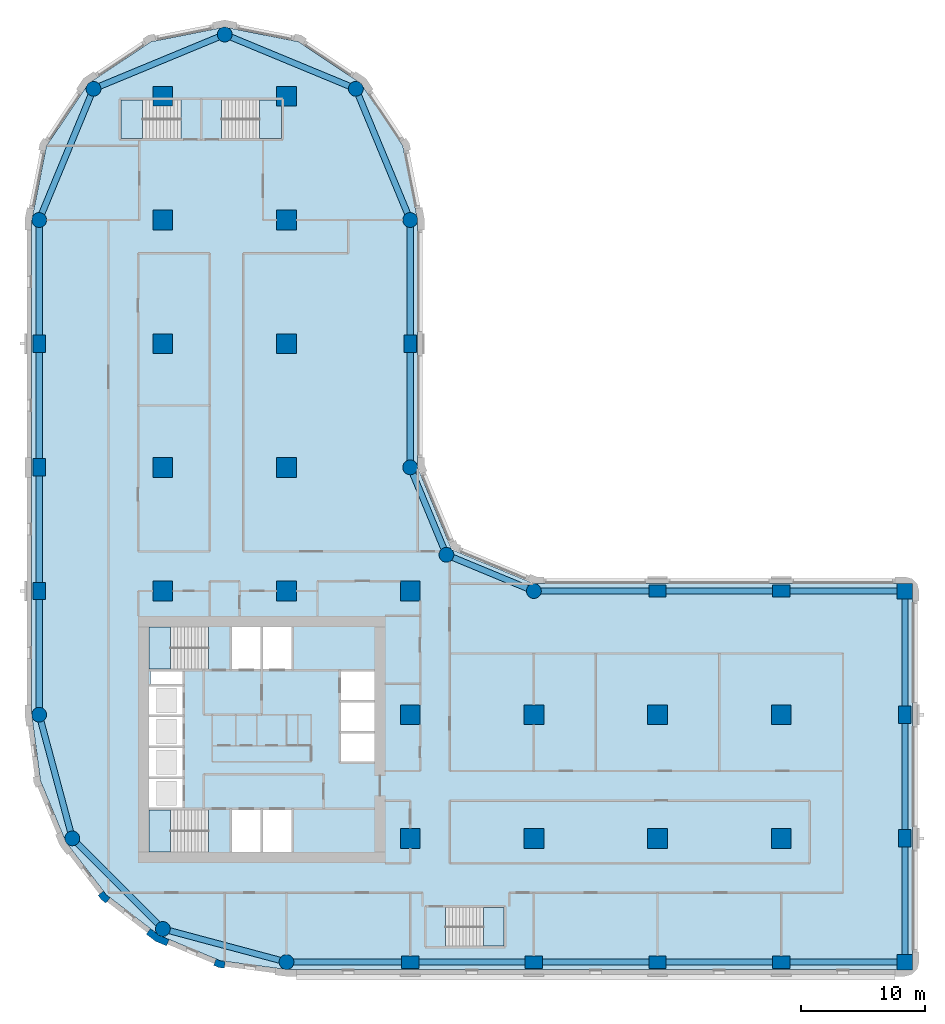
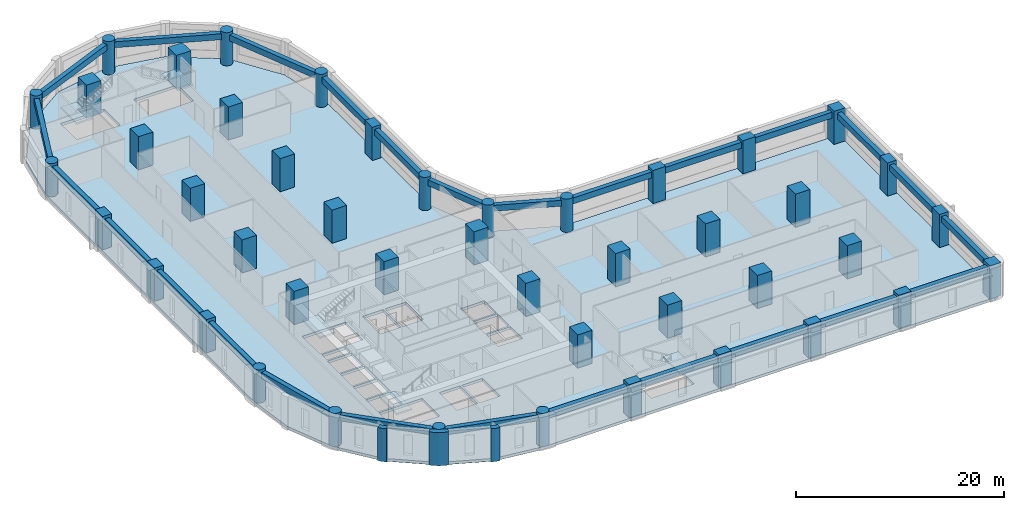
# One storey, part 1 of 11: 45 columns, 26 beams, 6 slabs, 3 walls, 5 elements without a shape of their own.
"""IFC4 building model written with IfcOpenShell, lengths in metres."""

from ifc_helpers import new_model, si_unit, direction, frame, origin, origin_2d, place, context, subcontext, project, spatial, polyline, rectangle, circle, outline, extrude, material, layer, layer_set, material_profile, profile_set, type_object, element, aggregate, save


model = new_model("IFC4")

# Units and contexts
model_context = context("Model", 3, precision=1e-05, world=origin(), true_north=direction((0.0, 1.0)))
body_context = subcontext(model_context, "Body", "Model", "MODEL_VIEW")
ifc_project = project(units=[si_unit("LENGTHUNIT", "METRE"), si_unit("AREAUNIT", "SQUARE_METRE"), si_unit("VOLUMEUNIT", "CUBIC_METRE"), si_unit("PLANEANGLEUNIT", "RADIAN"), si_unit("MASSUNIT", "GRAM", prefix="KILO")], contexts=[model_context])

# Site, building, storey
site_placement = place(None, origin())
site = spatial("IfcSite", under=ifc_project, at=site_placement, CompositionType="ELEMENT")
building_placement = place(site_placement, origin())
building = spatial("IfcBuilding", under=site, at=building_placement, Name="Qaws Garden Tower", CompositionType="ELEMENT")
storey_placement = place(building_placement, frame((0.0, 0.0, 86.10009765625)))
storey = spatial("IfcBuildingStorey", under=building, at=storey_placement, Name="L21", CompositionType="ELEMENT", Elevation=86.10009765625)

# Columns
ifc_material_1 = material(Name="Concrete C80", Category="concrete")
ifc_material_profile_1 = material_profile(ifc_material_1, rectangle(XDim=1.25, YDim=1.25, at=origin_2d()), Name="RC 1250x1250")
ifc_profile_set_1 = profile_set([ifc_material_profile_1], Name="Concrete C80")
column_type_1 = type_object("IfcColumnType", Name="Column RC 1250x1250 C80", PredefinedType="COLUMN", material=ifc_profile_set_1)
for number, where, z_axis, x_axis, name in (
    (1, (70.0, 0.0, 0.0), (0.0, 0.0, 1.0), (1.0, 0.0, 0.0), "Column L21-006"),
    (2, (70.0, 30.0, 0.0), (0.0, 0.0, 1.0), (1.0, 0.0, 0.0), "Column L21-009"),
):
    element("IfcColumn", number, at=place(storey_placement, frame(where, z_axis=z_axis, x_axis=x_axis)), inside=storey, type_object=column_type_1, Name=name, PredefinedType="COLUMN", context=body_context, shape_type="SweptSolid", body=[
        extrude(rectangle(XDim=1.25, YDim=1.25, at=origin_2d()), origin(), (0.0, 0.0, 1.0), 3.89990234375),
    ])
ifc_material_2 = material(Name="Concrete C80", Category="concrete")
ifc_material_profile_2 = material_profile(ifc_material_2, rectangle(XDim=1.39990234375, YDim=1.0, at=origin_2d()), Name="RC 1400x1000")
ifc_profile_set_2 = profile_set([ifc_material_profile_2], Name="Concrete C80")
column_type_2 = type_object("IfcColumnType", Name="Column RC 1400x1000 C80", PredefinedType="COLUMN", material=ifc_profile_set_2)
for number, where, z_axis, x_axis, name in (
    (3, (30.0, 0.0, 0.0), (0.0, 0.0, 1.0), (1.0, 0.0, 0.0), "Column L21-002"),
    (4, (40.0, 0.0, 0.0), (0.0, 0.0, 1.0), (1.0, 0.0, 0.0), "Column L21-003"),
    (5, (50.0, 0.0, 0.0), (0.0, 0.0, 1.0), (1.0, 0.0, 0.0), "Column L21-004"),
    (6, (60.0, 0.0, 0.0), (0.0, 0.0, 1.0), (1.0, 0.0, 0.0), "Column L21-005"),
    (7, (70.0, 10.0, 0.0), (0.0, 0.0, 1.0), (0.0, 1.0, 0.0), "Column L21-007"),
    (8, (70.0, 20.0, 0.0), (0.0, 0.0, 1.0), (0.0, 1.0, 0.0), "Column L21-008"),
    (9, (60.0, 30.0, 0.0), (0.0, 0.0, 1.0), (1.0, 0.0, 0.0), "Column L21-010"),
    (10, (50.0, 30.0, 0.0), (0.0, 0.0, 1.0), (1.0, 0.0, 0.0), "Column L21-011"),
    (11, (30.0, 50.0, 0.0), (0.0, 0.0, 1.0), (0.0, 1.0, 0.0), "Column L21-015"),
    (12, (0.0, 50.0, 0.0), (0.0, 0.0, 1.0), (0.0, 1.0, 0.0), "Column L21-021"),
    (13, (0.0, 40.0, 0.0), (0.0, 0.0, 1.0), (0.0, 1.0, 0.0), "Column L21-022"),
    (14, (0.0, 30.0, 0.0), (0.0, 0.0, 1.0), (0.0, 1.0, 0.0), "Column L21-023"),
):
    element("IfcColumn", number, at=place(storey_placement, frame(where, z_axis=z_axis, x_axis=x_axis)), inside=storey, type_object=column_type_2, Name=name, PredefinedType="COLUMN", context=body_context, shape_type="SweptSolid", body=[
        extrude(rectangle(XDim=1.39990234375, YDim=1.0, at=origin_2d()), origin(), (0.0, 0.0, 1.0), 3.89990234375),
    ])
ifc_material_3 = material(Name="Concrete C80", Category="concrete")
ifc_material_profile_3 = material_profile(ifc_material_3, rectangle(XDim=1.60009765625, YDim=1.60009765625, at=origin_2d()), Name="RC 1600x1600")
ifc_profile_set_3 = profile_set([ifc_material_profile_3], Name="Concrete C80")
column_type_3 = type_object("IfcColumnType", Name="Column RC 1600x1600 C80", PredefinedType="COLUMN", material=ifc_profile_set_3)
for number, where, z_axis, x_axis, name in (
    (15, (10.0, 30.0, 0.0), (0.0, 0.0, 1.0), (1.0, 0.0, 0.0), "Column L21-027"),
    (16, (10.0, 40.0, 0.0), (0.0, 0.0, 1.0), (1.0, 0.0, 0.0), "Column L21-028"),
    (17, (10.0, 50.0, 0.0), (0.0, 0.0, 1.0), (1.0, 0.0, 0.0), "Column L21-029"),
    (18, (10.0, 60.0, 0.0), (0.0, 0.0, 1.0), (1.0, 0.0, 0.0), "Column L21-030"),
    (19, (10.0, 70.0, 0.0), (0.0, 0.0, 1.0), (1.0, 0.0, 0.0), "Column L21-031"),
    (20, (20.0, 30.0, 0.0), (0.0, 0.0, 1.0), (1.0, 0.0, 0.0), "Column L21-032"),
    (21, (20.0, 40.0, 0.0), (0.0, 0.0, 1.0), (1.0, 0.0, 0.0), "Column L21-033"),
    (22, (20.0, 50.0, 0.0), (0.0, 0.0, 1.0), (1.0, 0.0, 0.0), "Column L21-034"),
    (23, (20.0, 60.0, 0.0), (0.0, 0.0, 1.0), (1.0, 0.0, 0.0), "Column L21-035"),
    (24, (20.0, 70.0, 0.0), (0.0, 0.0, 1.0), (1.0, 0.0, 0.0), "Column L21-036"),
    (25, (30.0, 10.0, 0.0), (0.0, 0.0, 1.0), (1.0, 0.0, 0.0), "Column L21-037"),
    (26, (30.0, 20.0, 0.0), (0.0, 0.0, 1.0), (1.0, 0.0, 0.0), "Column L21-038"),
    (27, (30.0, 30.0, 0.0), (0.0, 0.0, 1.0), (1.0, 0.0, 0.0), "Column L21-039"),
    (28, (40.0, 10.0, 0.0), (0.0, 0.0, 1.0), (1.0, 0.0, 0.0), "Column L21-040"),
    (29, (40.0, 20.0, 0.0), (0.0, 0.0, 1.0), (1.0, 0.0, 0.0), "Column L21-041"),
    (30, (50.0, 10.0, 0.0), (0.0, 0.0, 1.0), (1.0, 0.0, 0.0), "Column L21-042"),
    (31, (50.0, 20.0, 0.0), (0.0, 0.0, 1.0), (1.0, 0.0, 0.0), "Column L21-043"),
    (32, (60.0, 10.0, 0.0), (0.0, 0.0, 1.0), (1.0, 0.0, 0.0), "Column L21-044"),
    (33, (60.0, 20.0, 0.0), (0.0, 0.0, 1.0), (1.0, 0.0, 0.0), "Column L21-045"),
):
    element("IfcColumn", number, at=place(storey_placement, frame(where, z_axis=z_axis, x_axis=x_axis)), inside=storey, type_object=column_type_3, Name=name, PredefinedType="COLUMN", context=body_context, shape_type="SweptSolid", body=[
        extrude(rectangle(XDim=1.60009765625, YDim=1.60009765625, at=origin_2d()), origin(), (0.0, 0.0, 1.0), 3.89990234375),
    ])
ifc_material_4 = material(Name="Concrete C80", Category="concrete")
ifc_material_profile_4 = material_profile(ifc_material_4, circle(Radius=0.60009765625, at=origin_2d()), Name="RC D1200")
ifc_profile_set_4 = profile_set([ifc_material_profile_4], Name="Concrete C80")
column_type_4 = type_object("IfcColumnType", Name="Column RC D1200 C80", PredefinedType="COLUMN", material=ifc_profile_set_4)
for number, where, z_axis, x_axis, name in (
    (34, (20.0, 0.0, 0.0), (0.0, 0.0, 1.0), (1.0, 0.0, 0.0), "Column L21-001"),
    (35, (40.0, 30.0, 0.0), (0.0, 0.0, 1.0), (1.0, 0.0, 0.0), "Column L21-012"),
    (36, (32.928955078125, 32.928955078125, 0.0), (0.0, 0.0, 1.0), (1.0, 0.0, 0.0), "Column L21-013"),
    (37, (30.0, 40.0, 0.0), (0.0, 0.0, 1.0), (1.0, 0.0, 0.0), "Column L21-014"),
    (38, (30.0, 60.0, 0.0), (0.0, 0.0, 1.0), (1.0, 0.0, 0.0), "Column L21-016"),
    (39, (25.606689453125, 70.606689453125, 0.0), (0.0, 0.0, 1.0), (1.0, 0.0, 0.0), "Column L21-017"),
    (40, (15.0, 75.0, 0.0), (0.0, 0.0, 1.0), (1.0, 0.0, 0.0), "Column L21-018"),
    (41, (4.393310546875, 70.606689453125, 0.0), (0.0, 0.0, 1.0), (1.0, 0.0, 0.0), "Column L21-019"),
    (42, (0.0, 60.0, 0.0), (0.0, 0.0, 1.0), (1.0, 0.0, 0.0), "Column L21-020"),
    (43, (0.0, 20.0, 0.0), (0.0, 0.0, 1.0), (1.0, 0.0, 0.0), "Column L21-024"),
    (44, (2.679443359375, 10.0, 0.0), (0.0, 0.0, 1.0), (1.0, 0.0, 0.0), "Column L21-025"),
    (45, (10.0, 2.679443359375, 0.0), (0.0, 0.0, 1.0), (1.0, 0.0, 0.0), "Column L21-026"),
):
    element("IfcColumn", number, at=place(storey_placement, frame(where, z_axis=z_axis, x_axis=x_axis)), inside=storey, type_object=column_type_4, Name=name, PredefinedType="COLUMN", context=body_context, shape_type="SweptSolid", body=[
        extrude(circle(Radius=0.60009765625, at=origin_2d()), origin(), (0.0, 0.0, 1.0), 3.89990234375),
    ])

# Beams
ifc_material_5 = material(Name="Concrete C45", Category="concrete")
ifc_material_profile_5 = material_profile(ifc_material_5, rectangle(XDim=0.5, YDim=0.699951171875, at=origin_2d()), Name="RC 500x700")
ifc_profile_set_5 = profile_set([ifc_material_profile_5], Name="Concrete C45")
beam_type = type_object("IfcBeamType", Name="Spandrel beam RC 500x700 C45", PredefinedType="SPANDREL", material=ifc_profile_set_5)
for number, where, z_axis, x_axis, name in (
    (46, (20.0, 0.0, 3.22998046875), (1.0, 0.0, 0.0), (0.0, 1.0, 0.0), "Spandrel beam L21-001"),
    (47, (30.0, 0.0, 3.22998046875), (1.0, 0.0, 0.0), (0.0, 1.0, 0.0), "Spandrel beam L21-002"),
    (48, (40.0, 0.0, 3.22998046875), (1.0, 0.0, 0.0), (0.0, 1.0, 0.0), "Spandrel beam L21-003"),
    (49, (50.0, 0.0, 3.22998046875), (1.0, 0.0, 0.0), (0.0, 1.0, 0.0), "Spandrel beam L21-004"),
    (50, (60.0, 0.0, 3.22998046875), (1.0, 0.0, 0.0), (0.0, 1.0, 0.0), "Spandrel beam L21-005"),
    (51, (70.0, 0.0, 3.22998046875), (0.0, 1.0, 0.0), (-1.0, 0.0, 0.0), "Spandrel beam L21-006"),
    (52, (70.0, 10.0, 3.22998046875), (0.0, 1.0, 0.0), (-1.0, 0.0, 0.0), "Spandrel beam L21-007"),
    (53, (70.0, 20.0, 3.22998046875), (0.0, 1.0, 0.0), (-1.0, 0.0, 0.0), "Spandrel beam L21-008"),
    (54, (70.0, 30.0, 3.22998046875), (-1.0, 0.0, 0.0), (0.0, -1.0, 0.0), "Spandrel beam L21-009"),
    (55, (60.0, 30.0, 3.22998046875), (-1.0, 0.0, 0.0), (0.0, -1.0, 0.0), "Spandrel beam L21-010"),
    (56, (50.0, 30.0, 3.22998046875), (-1.0, 0.0, 0.0), (0.0, -1.0, 0.0), "Spandrel beam L21-011"),
):
    element("IfcBeam", number, at=place(storey_placement, frame(where, z_axis=z_axis, x_axis=x_axis)), inside=storey, type_object=beam_type, Name=name, PredefinedType="SPANDREL", context=body_context, shape_type="SweptSolid", body=[
        extrude(rectangle(XDim=0.5, YDim=0.699951171875, at=origin_2d()), origin(), (0.0, 0.0, 1.0), 10.0),
    ])
for number, where, z_axis, x_axis, name in (
    (57, (40.0, 30.0, 3.22998046875), (-0.923878037141, 0.382687042488, 0.0), (-0.382687042488, -0.923878037141, 0.0), "Spandrel beam L21-012"),
    (58, (32.928955078125, 32.928955078125, 3.22998046875), (-0.382687042488, 0.923878037141, 0.0), (-0.923878037141, -0.382687042488, 0.0), "Spandrel beam L21-013"),
):
    element("IfcBeam", number, at=place(storey_placement, frame(where, z_axis=z_axis, x_axis=x_axis)), inside=storey, type_object=beam_type, Name=name, PredefinedType="SPANDREL", context=body_context, shape_type="SweptSolid", body=[
        extrude(rectangle(XDim=0.5, YDim=0.699951171875, at=origin_2d()), origin(), (0.0, 0.0, 1.0), 7.653564453125),
    ])
for number, where, z_axis, x_axis, name in (
    (59, (30.0, 40.0, 3.22998046875), (0.0, 1.0, 0.0), (-1.0, 0.0, 0.0), "Spandrel beam L21-014"),
    (60, (30.0, 50.0, 3.22998046875), (0.0, 1.0, 0.0), (-1.0, 0.0, 0.0), "Spandrel beam L21-015"),
):
    element("IfcBeam", number, at=place(storey_placement, frame(where, z_axis=z_axis, x_axis=x_axis)), inside=storey, type_object=beam_type, Name=name, PredefinedType="SPANDREL", context=body_context, shape_type="SweptSolid", body=[
        extrude(rectangle(XDim=0.5, YDim=0.699951171875, at=origin_2d()), origin(), (0.0, 0.0, 1.0), 10.0),
    ])
for number, where, z_axis, x_axis, name in (
    (61, (30.0, 60.0, 3.22998046875), (-0.382674207535, 0.923883353507, 0.0), (-0.923883353507, -0.382674207535, 0.0), "Spandrel beam L21-016"),
    (62, (25.606689453125, 70.606689453125, 3.22998046875), (-0.923883353507, 0.382674207535, 0.0), (-0.382674207535, -0.923883353507, 0.0), "Spandrel beam L21-017"),
    (63, (15.0, 75.0, 3.22998046875), (-0.923883353507, -0.382674207535, 0.0), (0.382674207535, -0.923883353507, 0.0), "Spandrel beam L21-018"),
    (64, (4.393310546875, 70.606689453125, 3.22998046875), (-0.382674207535, -0.923883353507, 0.0), (0.923883353507, -0.382674207535, 0.0), "Spandrel beam L21-019"),
):
    element("IfcBeam", number, at=place(storey_placement, frame(where, z_axis=z_axis, x_axis=x_axis)), inside=storey, type_object=beam_type, Name=name, PredefinedType="SPANDREL", context=body_context, shape_type="SweptSolid", body=[
        extrude(rectangle(XDim=0.5, YDim=0.699951171875, at=origin_2d()), origin(), (0.0, 0.0, 1.0), 11.48046875),
    ])
for number, where, z_axis, x_axis, name in (
    (65, (0.0, 60.0, 3.22998046875), (0.0, -1.0, 0.0), (1.0, 0.0, 0.0), "Spandrel beam L21-020"),
    (66, (0.0, 50.0, 3.22998046875), (0.0, -1.0, 0.0), (1.0, 0.0, 0.0), "Spandrel beam L21-021"),
    (67, (0.0, 40.0, 3.22998046875), (0.0, -1.0, 0.0), (1.0, 0.0, 0.0), "Spandrel beam L21-022"),
    (68, (0.0, 30.0, 3.22998046875), (0.0, -1.0, 0.0), (1.0, 0.0, 0.0), "Spandrel beam L21-023"),
):
    element("IfcBeam", number, at=place(storey_placement, frame(where, z_axis=z_axis, x_axis=x_axis)), inside=storey, type_object=beam_type, Name=name, PredefinedType="SPANDREL", context=body_context, shape_type="SweptSolid", body=[
        extrude(rectangle(XDim=0.5, YDim=0.699951171875, at=origin_2d()), origin(), (0.0, 0.0, 1.0), 10.0),
    ])
for number, where, z_axis, x_axis, name in (
    (69, (0.0, 20.0, 3.22998046875), (0.25881466832, -0.965926999034, 0.0), (0.965926999034, 0.25881466832, 0.0), "Spandrel beam L21-024"),
    (70, (2.679443359375, 10.0, 3.22998046875), (0.707106781187, -0.707106781187, 0.0), (0.707106781187, 0.707106781187, 0.0), "Spandrel beam L21-025"),
    (71, (10.0, 2.679443359375, 3.22998046875), (0.965926999034, -0.25881466832, 0.0), (0.25881466832, 0.965926999034, 0.0), "Spandrel beam L21-026"),
):
    element("IfcBeam", number, at=place(storey_placement, frame(where, z_axis=z_axis, x_axis=x_axis)), inside=storey, type_object=beam_type, Name=name, PredefinedType="SPANDREL", context=body_context, shape_type="SweptSolid", body=[
        extrude(rectangle(XDim=0.5, YDim=0.699951171875, at=origin_2d()), origin(), (0.0, 0.0, 1.0), 10.352783203125),
    ])

# Slab
ifc_material_6 = material(Name="Concrete C40", Category="concrete")
ifc_layer_1 = layer(ifc_material_6, 0.320068359375)
ifc_layer_set_1 = layer_set([ifc_layer_1], Name="Concrete C40")
slab_type_1 = type_object("IfcSlabType", Name="Floor slab 320 C40", PredefinedType="FLOOR", material=ifc_layer_set_1)
slab_1_placement = place(storey_placement, frame((0.0, 0.0, -0.320068359375)))
element("IfcSlab", 72, at=slab_1_placement, inside=storey, type_object=slab_type_1, Name="Floor slab L21", PredefinedType="FLOOR", context=body_context, shape_type="SweptSolid", body=[
    extrude(outline(polyline([(0.101806640625, 14.668212890625), (-0.60009765625, 20.0), (-0.60009765625, 30.60009765625), (-0.60009765625, 60.0), (-0.60009765625, 60.0), (0.58740234375, 65.969970703125), (3.968994140625, 71.031005859375), (9.030029296875, 74.41259765625), (15.0, 75.60009765625), (20.969970703125, 74.41259765625), (26.031005859375, 71.031005859375), (29.41259765625, 65.969970703125), (30.60009765625, 60.0), (30.60009765625, 40.0), (33.353271484375, 33.353271484375), (40.0, 30.60009765625), (70.0, 30.60009765625), (70.42431640625, 30.42431640625), (70.60009765625, 30.0), (70.60009765625, 0.0), (70.42431640625, -0.42431640625), (70.0, -0.60009765625), (30.60009765625, -0.60009765625), (20.0, -0.60009765625), (14.668212890625, 0.101806640625), (9.699951171875, 2.159912109375), (5.43359375, 5.43359375), (2.159912109375, 9.699951171875), (0.101806640625, 14.668212890625)]), holes=[polyline([(13.699462890625, 12.300048828125), (8.89990234375, 12.300048828125), (8.89990234375, 8.89990234375), (13.699462890625, 8.89990234375), (13.699462890625, 12.300048828125)]), polyline([(17.89990234375, 12.300048828125), (15.60009765625, 12.300048828125), (15.60009765625, 8.89990234375), (17.89990234375, 8.89990234375), (17.89990234375, 12.300048828125)]), polyline([(11.60009765625, 14.800048828125), (8.89990234375, 14.800048828125), (8.89990234375, 12.5), (11.60009765625, 12.5), (11.60009765625, 14.800048828125)]), polyline([(11.60009765625, 17.300048828125), (8.89990234375, 17.300048828125), (8.89990234375, 15.0), (11.60009765625, 15.0), (11.60009765625, 17.300048828125)]), polyline([(11.60009765625, 19.800048828125), (8.89990234375, 19.800048828125), (8.89990234375, 17.5), (11.60009765625, 17.5), (11.60009765625, 19.800048828125)]), polyline([(11.60009765625, 22.300048828125), (8.89990234375, 22.300048828125), (8.89990234375, 20.0), (11.60009765625, 20.0), (11.60009765625, 22.300048828125)]), polyline([(11.60009765625, 23.5), (9.0, 23.5), (9.0, 22.5), (11.60009765625, 22.5), (11.60009765625, 23.5)]), polyline([(13.699462890625, 27.10009765625), (8.89990234375, 27.10009765625), (8.89990234375, 23.699951171875), (13.699462890625, 23.699951171875), (13.699462890625, 27.10009765625)]), polyline([(11.449462890625, 69.699951171875), (6.60009765625, 69.699951171875), (6.60009765625, 66.60009765625), (11.449462890625, 66.60009765625), (11.449462890625, 69.699951171875)]), polyline([(37.60009765625, 4.39990234375), (32.8505859375, 4.39990234375), (32.8505859375, 1.300048828125), (37.60009765625, 1.300048828125), (37.60009765625, 4.39990234375)]), polyline([(20.39990234375, 12.300048828125), (18.10009765625, 12.300048828125), (18.10009765625, 8.89990234375), (20.39990234375, 8.89990234375), (20.39990234375, 12.300048828125)]), polyline([(27.10009765625, 18.5), (24.39990234375, 18.5), (24.39990234375, 16.199951171875), (27.10009765625, 16.199951171875), (27.10009765625, 18.5)]), polyline([(27.10009765625, 21.0), (24.39990234375, 21.0), (24.39990234375, 18.699951171875), (27.10009765625, 18.699951171875), (27.10009765625, 21.0)]), polyline([(27.10009765625, 23.5), (24.39990234375, 23.5), (24.39990234375, 21.199951171875), (27.10009765625, 21.199951171875), (27.10009765625, 23.5)]), polyline([(17.89990234375, 27.10009765625), (15.60009765625, 27.10009765625), (15.60009765625, 23.699951171875), (17.89990234375, 23.699951171875), (17.89990234375, 27.10009765625)]), polyline([(20.39990234375, 23.699951171875), (20.39990234375, 27.10009765625), (18.10009765625, 27.10009765625), (18.10009765625, 23.699951171875), (20.39990234375, 23.699951171875)]), polyline([(19.60009765625, 66.60009765625), (19.60009765625, 69.699951171875), (14.75048828125, 69.699951171875), (14.75048828125, 66.60009765625), (19.60009765625, 66.60009765625)])]), origin(), (0.0, 0.0, 1.0), 0.320068359375),
])

# Stair, slab
ifc_material_7 = material(Name="Concrete C40", Category="concrete")
stair_type_1 = type_object("IfcStairType", Name="Exit stair 1500", PredefinedType="HALF_TURN_STAIR", material=ifc_material_7)
placement_1 = place(storey_placement, origin())
stair_1 = element("IfcStair", 73, at=placement_1, inside=storey, type_object=stair_type_1, Name="Stair 1", PredefinedType="HALF_TURN_STAIR")
ifc_material_8 = material(Name="Concrete C40", Category="concrete")
ifc_layer_2 = layer(ifc_material_8, 0.199951171875)
ifc_layer_set_2 = layer_set([ifc_layer_2], Name="Concrete C40")
slab_type_2 = type_object("IfcSlabType", Name="Stair landing 200", PredefinedType="LANDING", material=ifc_layer_set_2)
placement_2 = place(storey_placement, frame((0.0, 0.0, 1.75)))
slab_2 = element("IfcSlab", 74, at=placement_2, type_object=slab_type_2, Name="ST1 landing 1", PredefinedType="LANDING", context=body_context, shape_type="SweptSolid", body=[
    extrude(outline(polyline([(8.89990234375, 8.89990234375), (10.6201171875, 8.89990234375), (10.6201171875, 12.300048828125), (8.89990234375, 12.300048828125), (8.89990234375, 8.89990234375)])), origin(), (0.0, 0.0, 1.0), 0.199951171875),
])
aggregate(stair_1, [slab_2])

stair_2 = element("IfcStair", 75, at=placement_1, inside=storey, type_object=stair_type_1, Name="Stair 4", PredefinedType="HALF_TURN_STAIR")
slab_3 = element("IfcSlab", 76, at=placement_2, type_object=slab_type_2, Name="ST4 landing 1", PredefinedType="LANDING", context=body_context, shape_type="SweptSolid", body=[
    extrude(outline(polyline([(8.89990234375, 23.699951171875), (10.6201171875, 23.699951171875), (10.6201171875, 27.10009765625), (8.89990234375, 27.10009765625), (8.89990234375, 23.699951171875)])), origin(), (0.0, 0.0, 1.0), 0.199951171875),
])
aggregate(stair_2, [slab_3])

ifc_material_9 = material(Name="Concrete C40", Category="concrete")
stair_type_2 = type_object("IfcStairType", Name="Exit stair 1350", PredefinedType="HALF_TURN_STAIR", material=ifc_material_9)
stair_3 = element("IfcStair", 77, at=placement_1, inside=storey, type_object=stair_type_2, Name="Stair 5", PredefinedType="HALF_TURN_STAIR")
slab_4 = element("IfcSlab", 78, at=placement_2, type_object=slab_type_2, Name="ST5 landing 1", PredefinedType="LANDING", context=body_context, shape_type="SweptSolid", body=[
    extrude(outline(polyline([(35.929931640625, 1.300048828125), (37.60009765625, 1.300048828125), (37.60009765625, 4.39990234375), (35.929931640625, 4.39990234375), (35.929931640625, 1.300048828125)])), origin(), (0.0, 0.0, 1.0), 0.199951171875),
])
aggregate(stair_3, [slab_4])

stair_4 = element("IfcStair", 79, at=placement_1, inside=storey, type_object=stair_type_2, Name="Stair 6", PredefinedType="HALF_TURN_STAIR")
slab_5 = element("IfcSlab", 80, at=placement_2, type_object=slab_type_2, Name="ST6 landing 1", PredefinedType="LANDING", context=body_context, shape_type="SweptSolid", body=[
    extrude(outline(polyline([(6.60009765625, 66.60009765625), (8.3701171875, 66.60009765625), (8.3701171875, 69.699951171875), (6.60009765625, 69.699951171875), (6.60009765625, 66.60009765625)])), origin(), (0.0, 0.0, 1.0), 0.199951171875),
])
aggregate(stair_4, [slab_5])

stair_5 = element("IfcStair", 81, at=placement_1, inside=storey, type_object=stair_type_2, Name="Stair 7", PredefinedType="HALF_TURN_STAIR")
slab_6 = element("IfcSlab", 82, at=placement_2, type_object=slab_type_2, Name="ST7 landing 1", PredefinedType="LANDING", context=body_context, shape_type="SweptSolid", body=[
    extrude(outline(polyline([(17.830078125, 66.60009765625), (19.60009765625, 66.60009765625), (19.60009765625, 69.699951171875), (17.830078125, 69.699951171875), (17.830078125, 66.60009765625)])), origin(), (0.0, 0.0, 1.0), 0.199951171875),
])
aggregate(stair_5, [slab_6])

# Walls
ifc_material_10 = material(Name="Clay facing brick masonry", Category="masonry")
ifc_layer_3 = layer(ifc_material_10, 0.550048828125)
ifc_layer_set_3 = layer_set([ifc_layer_3], Name="Clay facing brick masonry")
wall_type_1 = type_object("IfcWallType", Name="Brick kink pier 550 x 600", PredefinedType="SOLIDWALL", material=ifc_layer_set_3)
element("IfcWall", 83, at=placement_1, inside=storey, type_object=wall_type_1, Name="E-L21-pier-30", PredefinedType="SOLIDWALL", context=body_context, shape_type="SweptSolid", body=[
    extrude(outline(polyline([(4.8818359375, 5.487060546875), (4.762939453125, 5.395751953125), (5.03759765625, 5.03759765625), (5.395751953125, 4.762939453125), (5.487060546875, 4.8818359375), (5.730712890625, 5.19921875), (5.429931640625, 5.429931640625), (5.19921875, 5.730712890625), (4.8818359375, 5.487060546875)])), origin(), (0.0, 0.0, 1.0), 3.89990234375),
])
element("IfcWall", 84, at=placement_1, inside=storey, type_object=wall_type_1, Name="E-L21-pier-32", PredefinedType="SOLIDWALL", context=body_context, shape_type="SweptSolid", body=[
    extrude(outline(polyline([(14.163818359375, -0.127685546875), (14.1064453125, -0.26611328125), (14.5234375, -0.43896484375), (14.970947265625, -0.497802734375), (14.990478515625, -0.34912109375), (15.042724609375, 0.04736328125), (14.6669921875, 0.096923828125), (14.31689453125, 0.241943359375), (14.163818359375, -0.127685546875)])), origin(), (0.0, 0.0, 1.0), 3.89990234375),
])
ifc_material_11 = material(Name="Clay facing brick masonry", Category="masonry")
ifc_layer_4 = layer(ifc_material_11, 0.550048828125)
ifc_layer_set_4 = layer_set([ifc_layer_4], Name="Clay facing brick masonry")
wall_type_2 = type_object("IfcWallType", Name="Brick pier 550 x 1600", PredefinedType="SOLIDWALL", material=ifc_layer_set_4)
element("IfcWall", 85, at=placement_1, inside=storey, type_object=wall_type_2, Name="E-L21-pier-31", PredefinedType="SOLIDWALL", context=body_context, shape_type="SweptSolid", body=[
    extrude(outline(polyline([(8.756591796875, 2.373046875), (8.665283203125, 2.254150390625), (9.419921875, 1.675048828125), (10.299072265625, 1.310791015625), (10.3564453125, 1.449462890625), (10.509521484375, 1.819091796875), (9.697509765625, 2.1552734375), (9.0, 2.6904296875), (8.756591796875, 2.373046875)])), origin(), (0.0, 0.0, 1.0), 3.89990234375),
])

save(model, "model.ifc")
